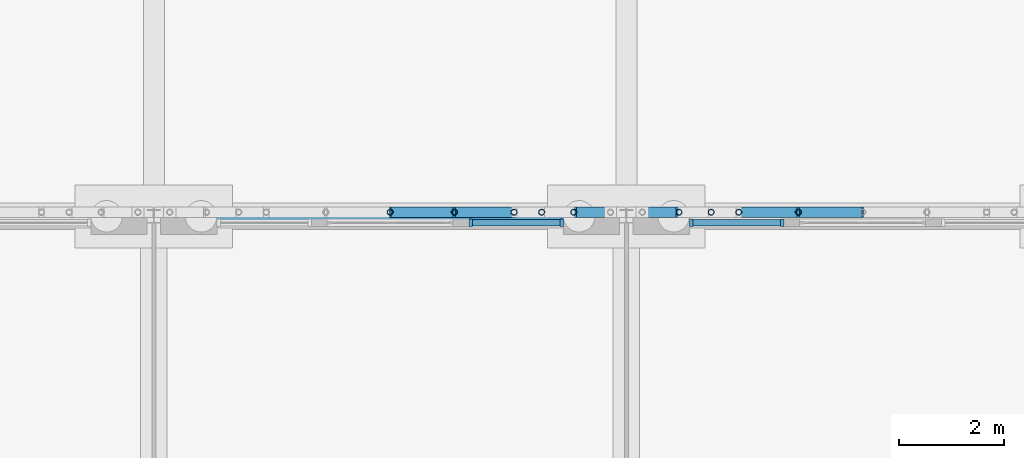
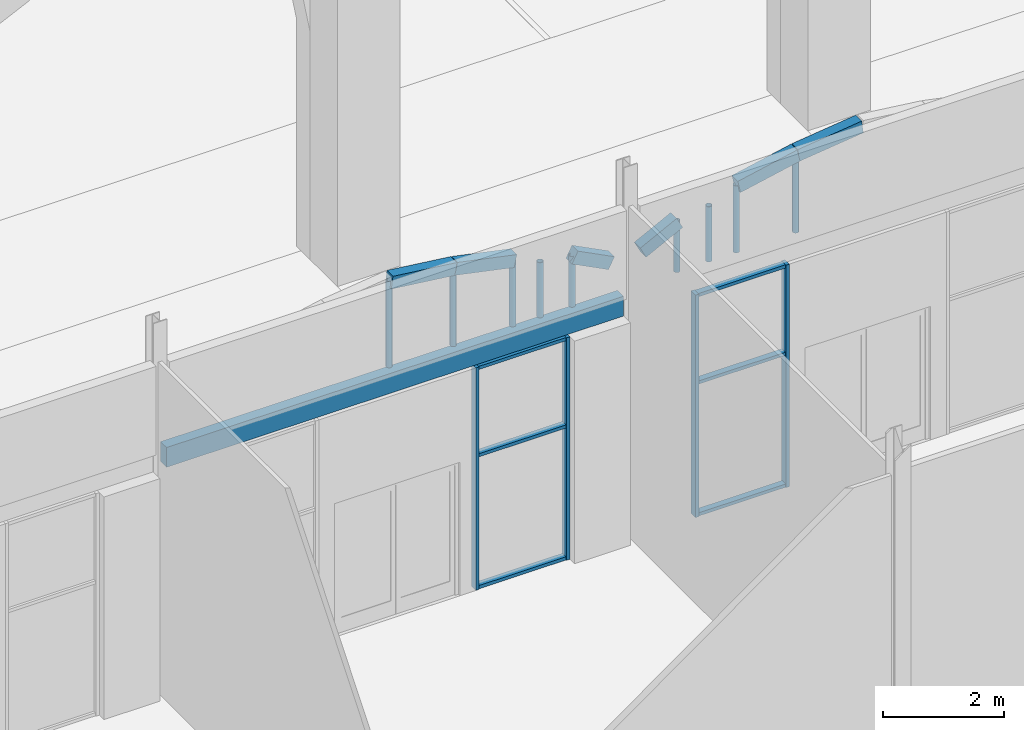
# One storey, part 47 of 250: 19 members, 7 beams, 2 elements without a shape of their own.
"""IFC4 building model written with IfcOpenShell, lengths in metres."""

from ifc_helpers import new_model, si_unit, direction, frame, origin, origin_2d, place, context, subcontext, project, spatial, rectangle, hollow_circle, extrude, material, material_profile, profile_set, type_object, element, aggregate, save


model = new_model("IFC4")

# Units and contexts
model_context = context("Model", 3, precision=1e-05, world=origin(), true_north=direction((0.0, 1.0)))
body_context = subcontext(model_context, "Body", "Model", "MODEL_VIEW")
ifc_project = project(units=[si_unit("LENGTHUNIT", "METRE"), si_unit("AREAUNIT", "SQUARE_METRE"), si_unit("VOLUMEUNIT", "CUBIC_METRE"), si_unit("PLANEANGLEUNIT", "RADIAN"), si_unit("MASSUNIT", "GRAM", prefix="KILO")], contexts=[model_context])

# Site, building, storey
site_placement = place(None, origin())
site = spatial("IfcSite", under=ifc_project, at=site_placement, CompositionType="ELEMENT")
building_placement = place(site_placement, origin())
building = spatial("IfcBuilding", under=site, at=building_placement, Name="Baradari Gate Terminus", CompositionType="ELEMENT")
storey_placement = place(building_placement, origin())
storey = spatial("IfcBuildingStorey", under=building, at=storey_placement, Name="L00", CompositionType="ELEMENT", Elevation=0.0)

# Members
ifc_material_1 = material(Name="Steel S355", Category="steel")
ifc_material_profile_1 = material_profile(ifc_material_1, hollow_circle(Radius=0.05712890625, WallThickness=0.00634765625, at=origin_2d()), Name="CHS 114.3x6.3")
ifc_profile_set_1 = profile_set([ifc_material_profile_1], Name="Steel S355")
member_type_1 = type_object("IfcMemberType", Name="Arcade arch post SP-2 114x6.3", PredefinedType="POST", material=ifc_profile_set_1)
member_1_placement = place(storey_placement, frame((94.5, 108.07861328125, 4.89990234375), z_axis=(0.0, 0.0, 1.0), x_axis=(1.0, 0.0, 0.0)))
element("IfcMember", 1, at=member_1_placement, inside=storey, type_object=member_type_1, Name="Arcade arch post 10.7", PredefinedType="POST", context=body_context, shape_type="SweptSolid", body=[
    extrude(hollow_circle(Radius=0.05712890625, WallThickness=0.00634765625, at=origin_2d()), origin(), (0.0, 0.0, 1.0), 1.7421875),
])
member_2_placement = place(storey_placement, frame((95.72412109375, 108.07861328125, 4.89990234375), z_axis=(0.0, 0.0, 1.0), x_axis=(1.0, 0.0, 0.0)))
element("IfcMember", 2, at=member_2_placement, inside=storey, type_object=member_type_1, Name="Arcade arch post 10.8", PredefinedType="POST", context=body_context, shape_type="SweptSolid", body=[
    extrude(hollow_circle(Radius=0.05712890625, WallThickness=0.00634765625, at=origin_2d()), origin(), (0.0, 0.0, 1.0), 1.593017578125),
])
member_3_placement = place(storey_placement, frame((96.86083984375, 108.07861328125, 4.89990234375), z_axis=(0.0, 0.0, 1.0), x_axis=(1.0, 0.0, 0.0)))
element("IfcMember", 3, at=member_3_placement, inside=storey, type_object=member_type_1, Name="Arcade arch post 10.9", PredefinedType="POST", context=body_context, shape_type="SweptSolid", body=[
    extrude(hollow_circle(Radius=0.05712890625, WallThickness=0.00634765625, at=origin_2d()), origin(), (0.0, 0.0, 1.0), 1.354248046875),
])
member_4_placement = place(storey_placement, frame((97.385498046875, 108.07861328125, 4.89990234375), z_axis=(0.0, 0.0, 1.0), x_axis=(1.0, 0.0, 0.0)))
element("IfcMember", 4, at=member_4_placement, inside=storey, type_object=member_type_1, Name="Arcade arch post 10.10", PredefinedType="POST", context=body_context, shape_type="SweptSolid", body=[
    extrude(hollow_circle(Radius=0.05712890625, WallThickness=0.00634765625, at=origin_2d()), origin(), (0.0, 0.0, 1.0), 1.115478515625),
])
for number, where, z_axis, x_axis, name in (
    (5, (97.99755859375, 108.07861328125, 4.89990234375), (0.0, 0.0, 1.0), (1.0, 0.0, 0.0), "Arcade arch post 10.11"),
    (6, (100.00244140625, 108.07861328125, 4.89990234375), (0.0, 0.0, 1.0), (1.0, 0.0, 0.0), "Arcade arch post 11.3"),
):
    element("IfcMember", number, at=place(storey_placement, frame(where, z_axis=z_axis, x_axis=x_axis)), inside=storey, type_object=member_type_1, Name=name, PredefinedType="POST", context=body_context, shape_type="SweptSolid", body=[
        extrude(hollow_circle(Radius=0.05712890625, WallThickness=0.00634765625, at=origin_2d()), origin(), (0.0, 0.0, 1.0), 1.02587890625),
    ])
member_5_placement = place(storey_placement, frame((100.614501953125, 108.07861328125, 4.89990234375), z_axis=(0.0, 0.0, 1.0), x_axis=(1.0, 0.0, 0.0)))
element("IfcMember", 7, at=member_5_placement, inside=storey, type_object=member_type_1, Name="Arcade arch post 11.4", PredefinedType="POST", context=body_context, shape_type="SweptSolid", body=[
    extrude(hollow_circle(Radius=0.05712890625, WallThickness=0.00634765625, at=origin_2d()), origin(), (0.0, 0.0, 1.0), 1.115478515625),
])
member_6_placement = place(storey_placement, frame((101.13916015625, 108.07861328125, 4.89990234375), z_axis=(0.0, 0.0, 1.0), x_axis=(1.0, 0.0, 0.0)))
element("IfcMember", 8, at=member_6_placement, inside=storey, type_object=member_type_1, Name="Arcade arch post 11.5", PredefinedType="POST", context=body_context, shape_type="SweptSolid", body=[
    extrude(hollow_circle(Radius=0.05712890625, WallThickness=0.00634765625, at=origin_2d()), origin(), (0.0, 0.0, 1.0), 1.354248046875),
])
member_7_placement = place(storey_placement, frame((102.27587890625, 108.07861328125, 4.89990234375), z_axis=(0.0, 0.0, 1.0), x_axis=(1.0, 0.0, 0.0)))
element("IfcMember", 9, at=member_7_placement, inside=storey, type_object=member_type_1, Name="Arcade arch post 11.6", PredefinedType="POST", context=body_context, shape_type="SweptSolid", body=[
    extrude(hollow_circle(Radius=0.05712890625, WallThickness=0.00634765625, at=origin_2d()), origin(), (0.0, 0.0, 1.0), 1.593017578125),
])

# Beams
ifc_material_2 = material(Name="Concrete C40/50 precast", Category="concrete")
ifc_material_profile_2 = material_profile(ifc_material_2, rectangle(XDim=0.199951171875, YDim=0.25, at=origin_2d()), Name="AB-1 200X250")
ifc_profile_set_2 = profile_set([ifc_material_profile_2], Name="Concrete C40/50 precast")
beam_type_1 = type_object("IfcBeamType", Name="Arcade arch segment AB-1 200x250", PredefinedType="BEAM", material=ifc_profile_set_2)
beam_1_placement = place(storey_placement, frame((94.5, 108.07861328125, 6.64208984375), z_axis=(0.992656897947, 0.0, -0.120963973802), x_axis=(0.0, 1.0, 0.0)))
element("IfcBeam", 10, at=beam_1_placement, inside=storey, type_object=beam_type_1, Name="Arcade arch AB-1 bay 10 segment 7", PredefinedType="BEAM", context=body_context, shape_type="SweptSolid", body=[
    extrude(rectangle(XDim=0.199951171875, YDim=0.25, at=origin_2d()), origin(), (0.0, 0.0, 1.0), 1.233154296875),
])
beam_2_placement = place(storey_placement, frame((95.72412109375, 108.07861328125, 6.492919921875), z_axis=(0.978643349291, 0.0, -0.205565548885), x_axis=(0.0, 1.0, 0.0)))
element("IfcBeam", 11, at=beam_2_placement, inside=storey, type_object=beam_type_1, Name="Arcade arch AB-1 bay 10 segment 8", PredefinedType="BEAM", context=body_context, shape_type="SweptSolid", body=[
    extrude(rectangle(XDim=0.199951171875, YDim=0.25, at=origin_2d()), origin(), (0.0, 0.0, 1.0), 1.16162109375),
])
for number, where, z_axis, x_axis, name in (
    (12, (97.99755859375, 108.07861328125, 5.92578125), (0.89022472097, 0.0, -0.455521619875), (0.0, 1.0, 0.0), "Arcade arch AB-1 bay 10 segment 11"),
    (13, (99.302978515625, 108.07861328125, 5.56787109375), (0.89022472097, 0.0, 0.455521619875), (0.0, 1.0, 0.0), "Arcade arch AB-1 bay 11 segment 2"),
):
    element("IfcBeam", number, at=place(storey_placement, frame(where, z_axis=z_axis, x_axis=x_axis)), inside=storey, type_object=beam_type_1, Name=name, PredefinedType="BEAM", context=body_context, shape_type="SweptSolid", body=[
        extrude(rectangle(XDim=0.199951171875, YDim=0.25, at=origin_2d()), origin(), (0.0, 0.0, 1.0), 0.78564453125),
    ])
beam_3_placement = place(storey_placement, frame((101.13916015625, 108.07861328125, 6.254150390625), z_axis=(0.978643349291, 0.0, 0.205565548885), x_axis=(0.0, 1.0, 0.0)))
element("IfcBeam", 14, at=beam_3_placement, inside=storey, type_object=beam_type_1, Name="Arcade arch AB-1 bay 11 segment 5", PredefinedType="BEAM", context=body_context, shape_type="SweptSolid", body=[
    extrude(rectangle(XDim=0.199951171875, YDim=0.25, at=origin_2d()), origin(), (0.0, 0.0, 1.0), 1.16162109375),
])
beam_4_placement = place(storey_placement, frame((102.27587890625, 108.07861328125, 6.492919921875), z_axis=(0.992656897947, 0.0, 0.120963973802), x_axis=(0.0, 1.0, 0.0)))
element("IfcBeam", 15, at=beam_4_placement, inside=storey, type_object=beam_type_1, Name="Arcade arch AB-1 bay 11 segment 6", PredefinedType="BEAM", context=body_context, shape_type="SweptSolid", body=[
    extrude(rectangle(XDim=0.199951171875, YDim=0.25, at=origin_2d()), origin(), (0.0, 0.0, 1.0), 1.233154296875),
])
ifc_material_3 = material(Name="Concrete C50/60 precast", Category="concrete")
ifc_material_profile_3 = material_profile(ifc_material_3, rectangle(XDim=0.199951171875, YDim=0.39990234375, at=origin_2d()), Name="LB-1 200X400")
ifc_profile_set_3 = profile_set([ifc_material_profile_3], Name="Concrete C50/60 precast")
beam_type_2 = type_object("IfcBeamType", Name="Arcade lintel LB-1 200x400", PredefinedType="LINTEL", material=ifc_profile_set_3)
beam_5_placement = place(storey_placement, frame((90.128173828125, 107.978515625, 4.699951171875), z_axis=(1.0, 0.0, 0.0), x_axis=(0.0, 1.0, 0.0)))
element("IfcBeam", 16, at=beam_5_placement, inside=storey, type_object=beam_type_2, Name="Arcade lintel LB-1 bay 10", PredefinedType="LINTEL", context=body_context, shape_type="SweptSolid", body=[
    extrude(rectangle(XDim=0.199951171875, YDim=0.39990234375, at=origin_2d()), origin(), (0.0, 0.0, 1.0), 8.74365234375),
])

# Curtain wall, members
ifc_material_4 = material(Name="Aluminium 6063-T6", Category="aluminium")
curtain_wall_type = type_object("IfcCurtainWallType", Name="Curtain wall CW-2 shopfront", PredefinedType="NOTDEFINED", material=ifc_material_4)
curtain_wall_1_placement = place(storey_placement, origin())
curtain_wall_1 = element("IfcCurtainWall", 17, at=curtain_wall_1_placement, inside=storey, type_object=curtain_wall_type, Name="Shopfront curtain wall CW-2 HN bay 10 L00", PredefinedType="NOTDEFINED")
ifc_material_5 = material(Name="Aluminium 6063-T6", Category="aluminium")
ifc_material_profile_4 = material_profile(ifc_material_5, rectangle(XDim=0.14990234375, YDim=0.06494140625, at=origin_2d()), Name="CM-2 65X150")
ifc_profile_set_4 = profile_set([ifc_material_profile_4], Name="Aluminium 6063-T6")
member_type_2 = type_object("IfcMemberType", Name="Curtain wall mullion CM-2 65x150", PredefinedType="MULLION", material=ifc_profile_set_4)
member_8_placement = place(storey_placement, frame((96.032470703125, 107.87841796875, 0.0), z_axis=(0.0, 0.0, 1.0), x_axis=(0.0, 1.0, 0.0)))
member_8 = element("IfcMember", 18, at=member_8_placement, type_object=member_type_2, Name="CW-2 mullion 1", PredefinedType="MULLION", context=body_context, shape_type="SweptSolid", body=[
    extrude(rectangle(XDim=0.14990234375, YDim=0.06494140625, at=origin_2d()), origin(), (0.0, 0.0, 1.0), 4.5),
])
member_9_placement = place(storey_placement, frame((97.767578125, 107.87841796875, 0.0), z_axis=(0.0, 0.0, 1.0), x_axis=(0.0, 1.0, 0.0)))
member_9 = element("IfcMember", 19, at=member_9_placement, type_object=member_type_2, Name="CW-2 mullion 2", PredefinedType="MULLION", context=body_context, shape_type="SweptSolid", body=[
    extrude(rectangle(XDim=0.14990234375, YDim=0.06494140625, at=origin_2d()), origin(), (0.0, 0.0, 1.0), 4.5),
])

curtain_wall_2_placement = place(storey_placement, origin())
curtain_wall_2 = element("IfcCurtainWall", 20, at=curtain_wall_2_placement, inside=storey, type_object=curtain_wall_type, Name="Shopfront curtain wall CW-2 HN bay 11 L00", PredefinedType="NOTDEFINED")
member_10_placement = place(storey_placement, frame((100.232421875, 107.87841796875, 0.0), z_axis=(0.0, 0.0, 1.0), x_axis=(0.0, 1.0, 0.0)))
member_10 = element("IfcMember", 21, at=member_10_placement, type_object=member_type_2, Name="CW-2 mullion 1", PredefinedType="MULLION", context=body_context, shape_type="SweptSolid", body=[
    extrude(rectangle(XDim=0.14990234375, YDim=0.06494140625, at=origin_2d()), origin(), (0.0, 0.0, 1.0), 4.5),
])
member_11_placement = place(storey_placement, frame((101.967529296875, 107.87841796875, 0.0), z_axis=(0.0, 0.0, 1.0), x_axis=(0.0, 1.0, 0.0)))
member_11 = element("IfcMember", 22, at=member_11_placement, type_object=member_type_2, Name="CW-2 mullion 2", PredefinedType="MULLION", context=body_context, shape_type="SweptSolid", body=[
    extrude(rectangle(XDim=0.14990234375, YDim=0.06494140625, at=origin_2d()), origin(), (0.0, 0.0, 1.0), 4.5),
])

# Member
ifc_material_6 = material(Name="Aluminium 6063-T6", Category="aluminium")
ifc_material_profile_5 = material_profile(ifc_material_6, rectangle(XDim=0.1201171875, YDim=0.06494140625, at=origin_2d()), Name="CT-2 65X120")
ifc_profile_set_5 = profile_set([ifc_material_profile_5], Name="Aluminium 6063-T6")
member_type_3 = type_object("IfcMemberType", Name="Curtain wall transom CT-2 65x120", PredefinedType="USERDEFINED", material=ifc_profile_set_5)
member_12_placement = place(storey_placement, frame((96.06494140625, 107.87841796875, 0.032470703125), z_axis=(1.0, 0.0, 0.0), x_axis=(0.0, 1.0, 0.0)))
member_12 = element("IfcMember", 23, at=member_12_placement, type_object=member_type_3, Name="CW-2 transom 1.1", ObjectType="TRANSOM", PredefinedType="USERDEFINED", context=body_context, shape_type="SweptSolid", body=[
    extrude(rectangle(XDim=0.1201171875, YDim=0.06494140625, at=origin_2d()), origin(), (0.0, 0.0, 1.0), 1.670166015625),
])

member_13_placement = place(storey_placement, frame((96.06494140625, 107.87841796875, 2.699951171875), z_axis=(1.0, 0.0, 0.0), x_axis=(0.0, 1.0, 0.0)))
member_13 = element("IfcMember", 24, at=member_13_placement, type_object=member_type_3, Name="CW-2 transom 1.2", ObjectType="TRANSOM", PredefinedType="USERDEFINED", context=body_context, shape_type="SweptSolid", body=[
    extrude(rectangle(XDim=0.1201171875, YDim=0.06494140625, at=origin_2d()), origin(), (0.0, 0.0, 1.0), 1.670166015625),
])

member_14_placement = place(storey_placement, frame((96.06494140625, 107.87841796875, 4.467529296875), z_axis=(1.0, 0.0, 0.0), x_axis=(0.0, 1.0, 0.0)))
member_14 = element("IfcMember", 25, at=member_14_placement, type_object=member_type_3, Name="CW-2 transom 1.3", ObjectType="TRANSOM", PredefinedType="USERDEFINED", context=body_context, shape_type="SweptSolid", body=[
    extrude(rectangle(XDim=0.1201171875, YDim=0.06494140625, at=origin_2d()), origin(), (0.0, 0.0, 1.0), 1.670166015625),
])

aggregate(curtain_wall_1, [member_8, member_9, member_12, member_13, member_14])

member_15_placement = place(storey_placement, frame((100.264892578125, 107.87841796875, 0.032470703125), z_axis=(1.0, 0.0, 0.0), x_axis=(0.0, 1.0, 0.0)))
member_15 = element("IfcMember", 26, at=member_15_placement, type_object=member_type_3, Name="CW-2 transom 1.1", ObjectType="TRANSOM", PredefinedType="USERDEFINED", context=body_context, shape_type="SweptSolid", body=[
    extrude(rectangle(XDim=0.1201171875, YDim=0.06494140625, at=origin_2d()), origin(), (0.0, 0.0, 1.0), 1.670166015625),
])

member_16_placement = place(storey_placement, frame((100.264892578125, 107.87841796875, 2.699951171875), z_axis=(1.0, 0.0, 0.0), x_axis=(0.0, 1.0, 0.0)))
member_16 = element("IfcMember", 27, at=member_16_placement, type_object=member_type_3, Name="CW-2 transom 1.2", ObjectType="TRANSOM", PredefinedType="USERDEFINED", context=body_context, shape_type="SweptSolid", body=[
    extrude(rectangle(XDim=0.1201171875, YDim=0.06494140625, at=origin_2d()), origin(), (0.0, 0.0, 1.0), 1.670166015625),
])

member_17_placement = place(storey_placement, frame((100.264892578125, 107.87841796875, 4.467529296875), z_axis=(1.0, 0.0, 0.0), x_axis=(0.0, 1.0, 0.0)))
member_17 = element("IfcMember", 28, at=member_17_placement, type_object=member_type_3, Name="CW-2 transom 1.3", ObjectType="TRANSOM", PredefinedType="USERDEFINED", context=body_context, shape_type="SweptSolid", body=[
    extrude(rectangle(XDim=0.1201171875, YDim=0.06494140625, at=origin_2d()), origin(), (0.0, 0.0, 1.0), 1.670166015625),
])

aggregate(curtain_wall_2, [member_10, member_11, member_15, member_16, member_17])

save(model, "model.ifc")
